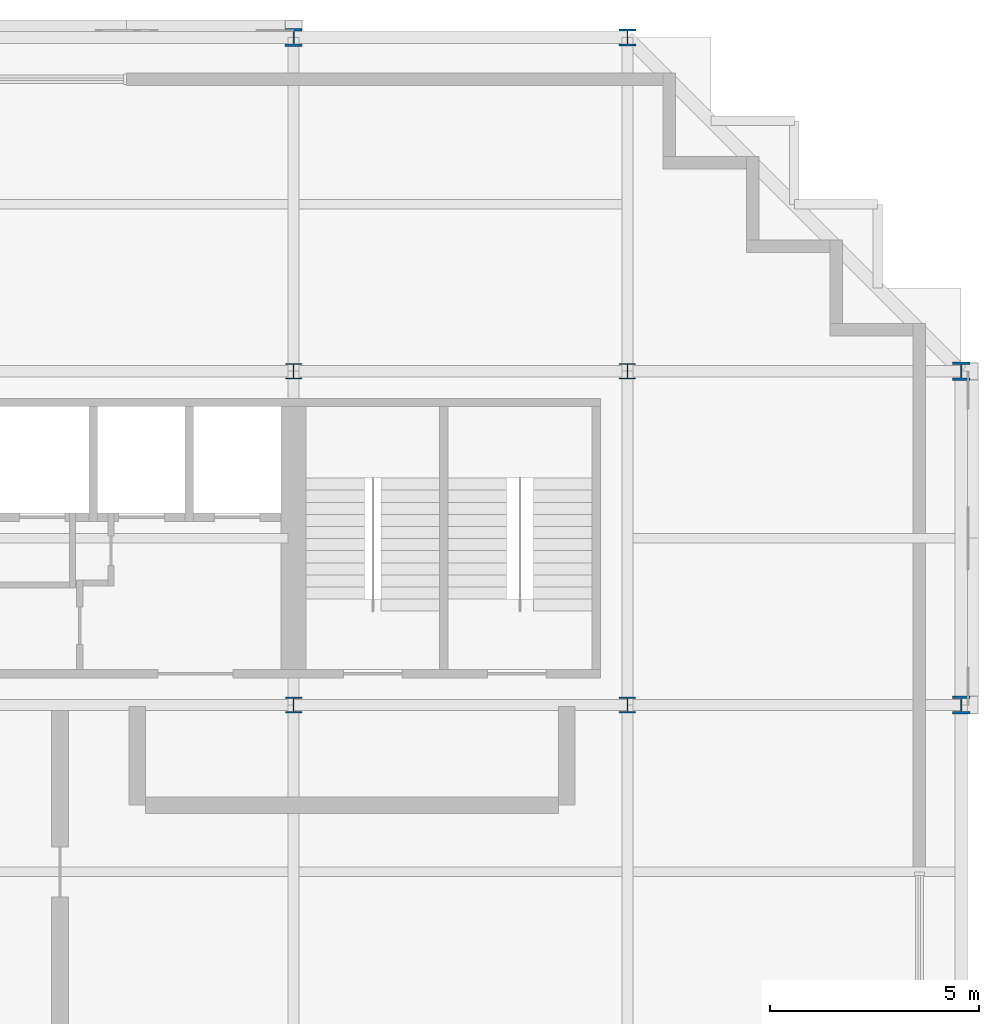
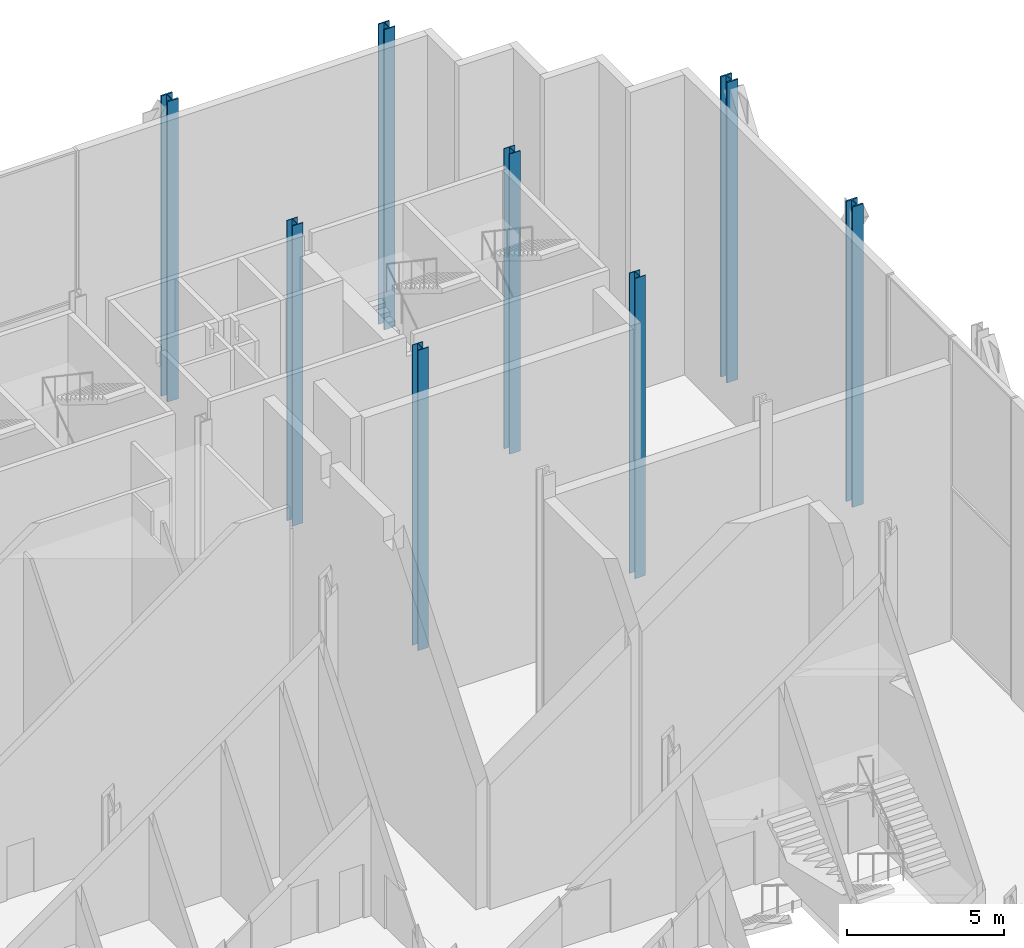
# One storey, part 2 of 14: 8 columns.
"""IFC4 building model written with IfcOpenShell, lengths in metres."""

from ifc_helpers import new_model, si_unit, direction, frame, origin, origin_2d, place, context, subcontext, project, spatial, i_section, extrude, material, material_profile, profile_set, type_object, element, save


model = new_model("IFC4")

# Units and contexts
model_context = context("Model", 3, precision=1e-05, world=origin(), true_north=direction((0.0, 1.0)))
body_context = subcontext(model_context, "Body", "Model", "MODEL_VIEW")
ifc_project = project(units=[si_unit("LENGTHUNIT", "METRE"), si_unit("AREAUNIT", "SQUARE_METRE"), si_unit("VOLUMEUNIT", "CUBIC_METRE"), si_unit("PLANEANGLEUNIT", "RADIAN"), si_unit("MASSUNIT", "GRAM", prefix="KILO")], contexts=[model_context])

# Site, building, storey
site_placement = place(None, origin())
site = spatial("IfcSite", under=ifc_project, at=site_placement, CompositionType="ELEMENT")
building_placement = place(site_placement, origin())
building = spatial("IfcBuilding", under=site, at=building_placement, Name="Immortelle Media Tower", CompositionType="ELEMENT")
storey_placement = place(building_placement, frame((0.0, 0.0, 9.0)))
storey = spatial("IfcBuildingStorey", under=building, at=storey_placement, Name="L01", CompositionType="ELEMENT", Elevation=9.0)

# Columns
ifc_material = material(Name="Steel ASTM A992 Gr 50", Category="steel")
ifc_material_profile_1 = material_profile(ifc_material, i_section(OverallWidth=0.39404296875, OverallDepth=0.3759765625, WebThickness=0.01708984375, FlangeThickness=0.028076171875, at=origin_2d()), Name="W14x145")
ifc_profile_set_1 = profile_set([ifc_material_profile_1], Name="Steel ASTM A992 Gr 50")
column_type_1 = type_object("IfcColumnType", Name="W14x145 column", PredefinedType="COLUMN", material=ifc_profile_set_1)
for number, where, z_axis, x_axis, name in (
    (1, (32.0, 32.0, 0.0), (0.0, 0.0, 1.0), (1.0, 0.0, 0.0), "Column 5/E"),
    (2, (32.0, 40.0, 0.0), (0.0, 0.0, 1.0), (1.0, 0.0, 0.0), "Column 5/F"),
    (3, (40.0, 32.0, 0.0), (0.0, 0.0, 1.0), (1.0, 0.0, 0.0), "Column 6/E"),
    (4, (40.0, 40.0, 0.0), (0.0, 0.0, 1.0), (1.0, 0.0, 0.0), "Column 6/F"),
):
    element("IfcColumn", number, at=place(storey_placement, frame(where, z_axis=z_axis, x_axis=x_axis)), inside=storey, type_object=column_type_1, Name=name, PredefinedType="COLUMN", context=body_context, shape_type="SweptSolid", body=[
        extrude(i_section(OverallWidth=0.39404296875, OverallDepth=0.3759765625, WebThickness=0.01708984375, FlangeThickness=0.028076171875, at=origin_2d()), origin(), (0.0, 0.0, 1.0), 11.699951171875),
    ])
ifc_material_profile_2 = material_profile(ifc_material, i_section(OverallWidth=0.40087890625, OverallDepth=0.39892578125, WebThickness=0.02490234375, FlangeThickness=0.0400390625, at=origin_2d()), Name="W14x211")
ifc_profile_set_2 = profile_set([ifc_material_profile_2], Name="Steel ASTM A992 Gr 50")
column_type_2 = type_object("IfcColumnType", Name="W14x211 column", PredefinedType="COLUMN", material=ifc_profile_set_2)
column_placement = place(storey_placement, frame((40.0, 48.0, 0.0), z_axis=(0.0, 0.0, 1.0), x_axis=(1.0, 0.0, 0.0)))
element("IfcColumn", 5, at=column_placement, inside=storey, type_object=column_type_2, Name="Column 6/G", PredefinedType="COLUMN", context=body_context, shape_type="SweptSolid", body=[
    extrude(i_section(OverallWidth=0.40087890625, OverallDepth=0.39892578125, WebThickness=0.02490234375, FlangeThickness=0.0400390625, at=origin_2d()), origin(), (0.0, 0.0, 1.0), 11.699951171875),
])
ifc_material_profile_3 = material_profile(ifc_material, i_section(OverallWidth=0.410888671875, OverallDepth=0.43408203125, WebThickness=0.035888671875, FlangeThickness=0.056884765625, at=origin_2d()), Name="W14x311")
ifc_profile_set_3 = profile_set([ifc_material_profile_3], Name="Steel ASTM A992 Gr 50")
column_type_3 = type_object("IfcColumnType", Name="W14x311 column", PredefinedType="COLUMN", material=ifc_profile_set_3)
for number, where, z_axis, x_axis, name in (
    (6, (32.0, 48.0, 0.0), (0.0, 0.0, 1.0), (1.0, 0.0, 0.0), "Column 5/G"),
    (7, (48.0, 32.0, 0.0), (0.0, 0.0, 1.0), (1.0, 0.0, 0.0), "Column 7/E"),
    (8, (48.0, 40.0, 0.0), (0.0, 0.0, 1.0), (1.0, 0.0, 0.0), "Column 7/F"),
):
    element("IfcColumn", number, at=place(storey_placement, frame(where, z_axis=z_axis, x_axis=x_axis)), inside=storey, type_object=column_type_3, Name=name, PredefinedType="COLUMN", context=body_context, shape_type="SweptSolid", body=[
        extrude(i_section(OverallWidth=0.410888671875, OverallDepth=0.43408203125, WebThickness=0.035888671875, FlangeThickness=0.056884765625, at=origin_2d()), origin(), (0.0, 0.0, 1.0), 11.699951171875),
    ])

save(model, "model.ifc")
